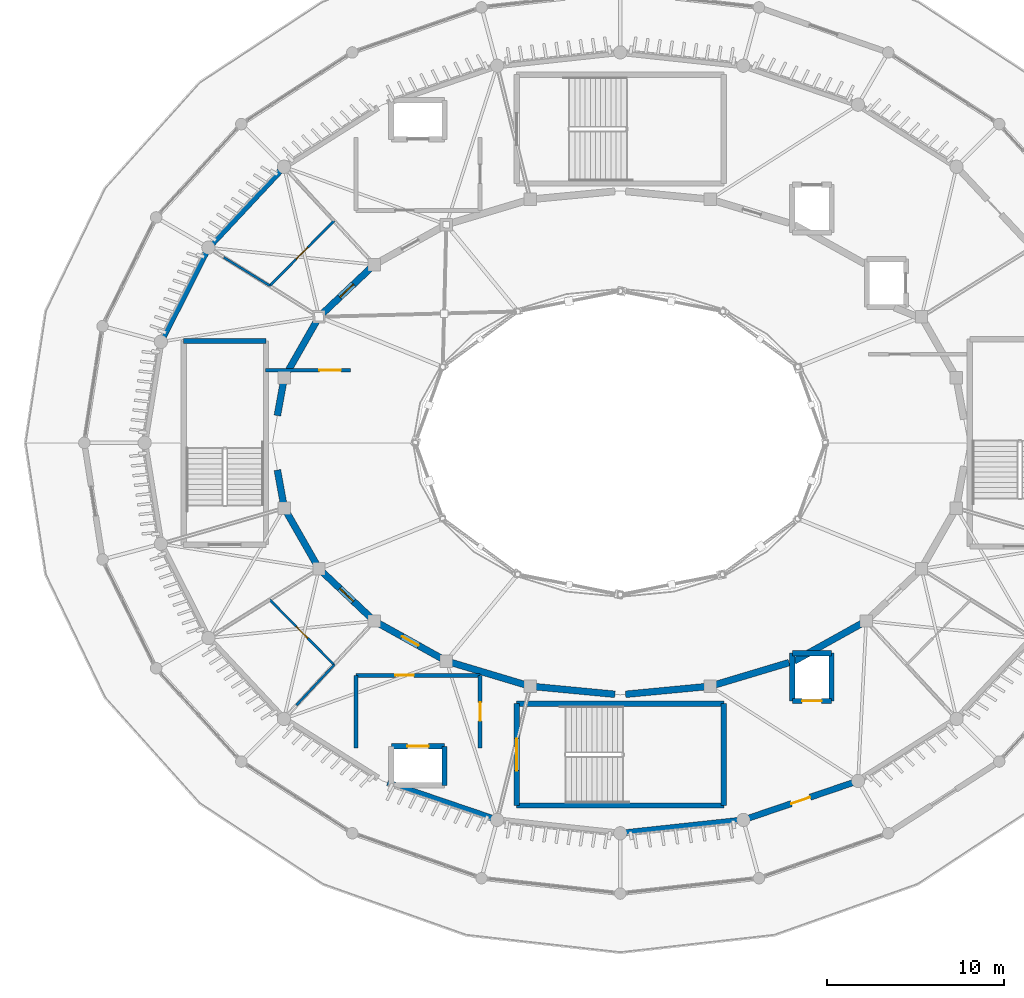
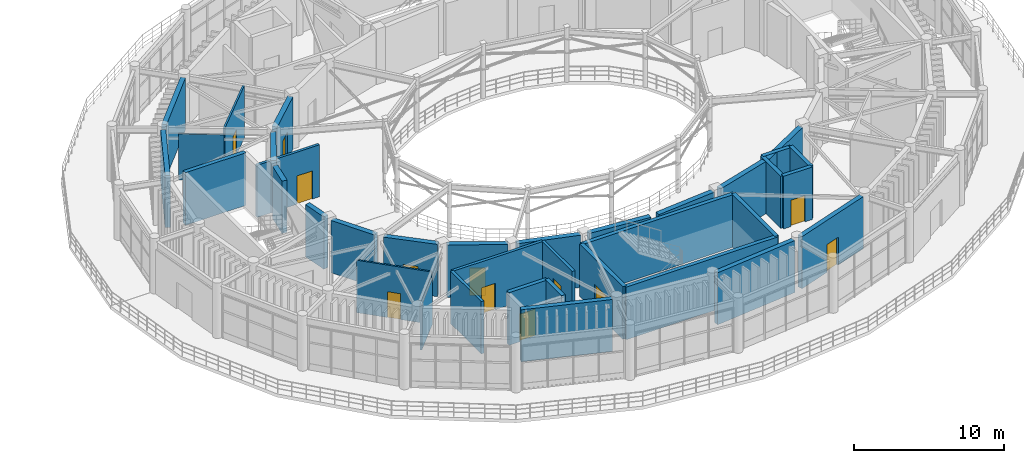
# One storey, part 25 of 45: 36 walls, 12 doors, 12 openings.
"""IFC4 building model written with IfcOpenShell, lengths in metres."""

import ifcopenshell
import ifcopenshell.guid

model = None  # the IFC model being written
_history = None  # IfcOwnerHistory: only IFC2X3 demands one
_inside = {}  # id of a spatial element -> (the spatial element, [elements in it])
_under = {}  # id of a project, library or spatial element -> (it, [spatial elements below it])
_declared = {}  # id of a project -> (the project, [libraries it declares])
_typed = {}  # id of a type object -> (the type object, [elements of that type])
_made_of = {}  # id of a material, layer set ... -> (it, [elements and type objects made of it])


def new_model(schema):
    """Start an empty IFC model of exactly this schema.

    Asked for "IFC4X3", IfcOpenShell would pick the latest addendum, in which some entities
    have other attributes; the version numbers below select the first issue.
    IFC2X3 requires an IfcOwnerHistory on every rooted entity: one is made here for all.
    """
    global model, _history
    if schema == "IFC4X3":
        model = ifcopenshell.file(schema_version=(4, 3, 0, 0))
    else:
        model = ifcopenshell.file(schema=schema)
    _inside.clear()
    _under.clear()
    _declared.clear()
    _typed.clear()
    _made_of.clear()
    _history = None
    if model.schema == "IFC2X3":
        org = make("IfcOrganization", Name="unknown")
        user = make(
            "IfcPersonAndOrganization",
            ThePerson=make("IfcPerson", FamilyName="unknown"),
            TheOrganization=org,
        )
        app = make(
            "IfcApplication",
            ApplicationDeveloper=org,
            Version="unknown",
            ApplicationFullName="unknown",
            ApplicationIdentifier="unknown",
        )
        _history = make(
            "IfcOwnerHistory",
            OwningUser=user,
            OwningApplication=app,
            ChangeAction="ADDED",
            CreationDate=0,
        )
    return model


def make(cls, **values):
    """One entity of the class cls with the attributes given. An attribute that is None is left unset."""
    return model.create_entity(
        cls, **{name: value for name, value in values.items() if value is not None}
    )


def rooted(cls, **values):
    """An entity with a GlobalId (a new one), such as an element, a storey or a relation."""
    return make(cls, GlobalId=ifcopenshell.guid.new(), OwnerHistory=_history, **values)


def si_unit(unit_type, name, prefix=None):
    """IfcSIUnit, for example si_unit("LENGTHUNIT", "METRE", prefix="MILLI")."""
    return make("IfcSIUnit", UnitType=unit_type, Prefix=prefix, Name=name)


def assignment(units):
    """IfcUnitAssignment: the units of a project."""
    return None if units is None else make("IfcUnitAssignment", Units=units)


def point(xyz):
    """IfcCartesianPoint."""
    return None if xyz is None else make("IfcCartesianPoint", Coordinates=xyz)


def direction(xyz):
    """IfcDirection."""
    return None if xyz is None else make("IfcDirection", DirectionRatios=xyz)


def frame(location, z_axis=None, x_axis=None):
    """IfcAxis2Placement3D, a coordinate frame: its origin and axes. An axis left out is left unset."""
    return make(
        "IfcAxis2Placement3D",
        Location=point(location),
        Axis=direction(z_axis),
        RefDirection=direction(x_axis),
    )


def frame_2d(location, x_axis=None):
    """IfcAxis2Placement2D, a coordinate frame in the plane: its origin and x axis."""
    return make(
        "IfcAxis2Placement2D", Location=point(location), RefDirection=direction(x_axis)
    )


def origin():
    """The frame at (0, 0, 0) with its axes left unset."""
    return frame((0.0, 0.0, 0.0))


def place(relative_to, where):
    """IfcLocalPlacement: puts the frame where relative to a parent placement (None: the world)."""
    return make(
        "IfcLocalPlacement", PlacementRelTo=relative_to, RelativePlacement=where
    )


def context(
    kind, dimensions, precision=None, world=None, true_north=None, identifier=None
):
    """IfcGeometricRepresentationContext, for example the 3D "Model" context."""
    return make(
        "IfcGeometricRepresentationContext",
        ContextIdentifier=identifier,
        ContextType=kind,
        CoordinateSpaceDimension=dimensions,
        Precision=precision,
        WorldCoordinateSystem=world,
        TrueNorth=true_north,
    )


def subcontext(parent, identifier, kind, view, scale=None):
    """IfcGeometricRepresentationSubContext, for example "Body" below "Model"."""
    return make(
        "IfcGeometricRepresentationSubContext",
        ContextIdentifier=identifier,
        ContextType=kind,
        ParentContext=parent,
        TargetScale=scale,
        TargetView=view,
    )


def project(units=None, contexts=None):
    """IfcProject with its units and contexts."""
    return rooted(
        "IfcProject",
        Name="project",
        RepresentationContexts=contexts,
        UnitsInContext=assignment(units),
    )


def spatial(cls, under=None, at=None, **own):
    """A site, building, storey or space (cls), placed at a placement, below another one or the project."""
    s = rooted(cls, ObjectPlacement=at, **own)
    if under is not None:
        _under.setdefault(under.id(), (under, []))[1].append(s)
    return s


def profile(cls, at=None, kind="AREA", **sizes):
    """A parametric profile (cls). Its sizes go by their IFC names, for example OverallWidth=200.0."""
    return make(cls, ProfileType=kind, Position=at, **sizes)


def rectangle(**sizes):
    """IfcRectangleProfileDef."""
    return profile("IfcRectangleProfileDef", **sizes)


def extrude(swept, where, along, depth):
    """IfcExtrudedAreaSolid: the profile swept, set in the frame where, extruded along a direction by depth."""
    return make(
        "IfcExtrudedAreaSolid",
        SweptArea=swept,
        Position=where,
        ExtrudedDirection=direction(along),
        Depth=depth,
    )


def shape(context_of_items, identifier, shape_type, items):
    """IfcShapeRepresentation: the items that make up one representation, for example the "Body"."""
    return make(
        "IfcShapeRepresentation",
        ContextOfItems=context_of_items,
        RepresentationIdentifier=identifier,
        RepresentationType=shape_type,
        Items=items,
    )


def material(Name=None, Category=None):
    """IfcMaterial."""
    return make("IfcMaterial", Name=Name, Category=Category)


def layer(
    of_material, thickness, ventilated=None, Name=None, Category=None, Priority=None
):
    """IfcMaterialLayer: one layer of a wall or slab, of a material (None: an air gap)."""
    return make(
        "IfcMaterialLayer",
        Material=of_material,
        LayerThickness=thickness,
        IsVentilated=ventilated,
        Name=Name,
        Category=Category,
        Priority=Priority,
    )


def layer_set(layers, Name=None):
    """IfcMaterialLayerSet."""
    return make("IfcMaterialLayerSet", MaterialLayers=layers, LayerSetName=Name)


def made_of(thing, what):
    """Note that an element or type object is made of a material, layer set ...; save() writes the relation."""
    if what is not None:
        _made_of.setdefault(what.id(), (what, []))[1].append(thing)
    return thing


def type_object(cls, material=None, **own):
    """A type object (cls), such as IfcWallType, which elements share."""
    return made_of(rooted(cls, **own), material)


def element(
    cls,
    number,
    at=None,
    inside=None,
    cuts=None,
    type_object=None,
    material=None,
    context=None,
    identifier="Body",
    shape_type=None,
    held_by="IfcProductDefinitionShape",
    body=None,
    shapes=None,
    **own,
):
    """One element of the class cls, such as IfcWall. Its Tag is "e" and its number.

    at: its placement. inside: the storey or other place that contains it. cuts: it is an
    opening in that element (IfcRelVoidsElement). A single representation is given by context,
    identifier, shape_type and body (its items); several are given by shapes. held_by: the class
    of the entity that holds the representations. save() writes the other relations.
    """
    e = rooted(cls, Tag="e%d" % number, ObjectPlacement=at, **own)
    if body is not None:
        shapes = [shape(context, identifier, shape_type, body)]
    if shapes is not None:
        e.Representation = make(held_by, Representations=shapes)
    if inside is not None:
        _inside.setdefault(inside.id(), (inside, []))[1].append(e)
    if cuts is not None:
        rooted(
            "IfcRelVoidsElement", RelatingBuildingElement=cuts, RelatedOpeningElement=e
        )
    if type_object is not None:
        _typed.setdefault(type_object.id(), (type_object, []))[1].append(e)
    return made_of(e, material)


def fill(opening, filler):
    """IfcRelFillsElement: the door or window that sits in an opening."""
    return rooted(
        "IfcRelFillsElement",
        RelatingOpeningElement=opening,
        RelatedBuildingElement=filler,
    )


def aggregate(whole, parts):
    """IfcRelAggregates: a whole, such as a stair, and the parts it consists of."""
    return rooted("IfcRelAggregates", RelatingObject=whole, RelatedObjects=parts)


def save(model, path):
    """Write the relations noted so far, then the file.

    IfcRelAggregates (storeys below a building ...), IfcRelContainedInSpatialStructure (elements
    in a storey), IfcRelDefinesByType, IfcRelAssociatesMaterial and IfcRelDeclares: one each for
    every whole, place, type object, material and project.
    """
    for whole, parts in _under.values():
        aggregate(whole, parts)
    for where, things in _inside.values():
        rooted(
            "IfcRelContainedInSpatialStructure",
            RelatedElements=things,
            RelatingStructure=where,
        )
    for kind, things in _typed.values():
        rooted("IfcRelDefinesByType", RelatedObjects=things, RelatingType=kind)
    for what, things in _made_of.values():
        rooted("IfcRelAssociatesMaterial", RelatedObjects=things, RelatingMaterial=what)
    for by, libraries in _declared.values():
        rooted("IfcRelDeclares", RelatingContext=by, RelatedDefinitions=libraries)
    model.write(path)


model = new_model("IFC4")

# Units and contexts
model_context = context("Model", 3, precision=1e-05, world=origin(), true_north=direction((0.0, 1.0)))
body_context = subcontext(model_context, "Body", "Model", "MODEL_VIEW")
ifc_project = project(units=[si_unit("LENGTHUNIT", "METRE"), si_unit("AREAUNIT", "SQUARE_METRE"), si_unit("VOLUMEUNIT", "CUBIC_METRE"), si_unit("PLANEANGLEUNIT", "RADIAN"), si_unit("MASSUNIT", "GRAM", prefix="KILO")], contexts=[model_context])

# Site, building, storey
site_placement = place(None, origin())
site = spatial("IfcSite", under=ifc_project, at=site_placement, CompositionType="ELEMENT")
building_placement = place(site_placement, origin())
building = spatial("IfcBuilding", under=site, at=building_placement, Name="Cinderbank Siding Concert Hall", CompositionType="ELEMENT")
storey_placement = place(building_placement, frame((0.0, 0.0, 19.199951171875)))
storey = spatial("IfcBuildingStorey", under=building, at=storey_placement, Name="L05", CompositionType="ELEMENT", Elevation=19.199951171875)

# Wall, opening, door
ifc_material_1 = material(Name="Reinforced concrete AS 3600 N50 (50 MPa)", Category="concrete")
ifc_layer_1 = layer(ifc_material_1, 0.3798828125)
ifc_layer_set_1 = layer_set([ifc_layer_1], Name="Reinforced concrete AS 3600 N50 (50 MPa)")
wall_type_1 = type_object("IfcWallType", Name="WL-01 Structural Wall 380mm", PredefinedType="SOLIDWALL", material=ifc_layer_set_1)
wall_1_placement = place(storey_placement, frame((107.93359375, 53.84521484375, 0.0), z_axis=(0.0, 0.0, 1.0), x_axis=(-0.727127996206, -0.686501913423, 0.0)))
wall_1 = element("IfcWall", 1, at=wall_1_placement, inside=storey, type_object=wall_type_1, Name="L05 Structural Wall SW-E1-L05-10", PredefinedType="SOLIDWALL", context=body_context, shape_type="SweptSolid", body=[
    extrude(rectangle(XDim=3.7138671875, YDim=0.3798828125, at=frame_2d((1.85693359375, 0.0))), origin(), (0.0, 0.0, 1.0), 4.25),
])
opening_1_placement = place(wall_1_placement, frame((1.326904296875, 0.0, 0.0)))
opening_1 = element("IfcOpeningElement", 2, at=opening_1_placement, cuts=wall_1, Name="Opening D-18", PredefinedType="OPENING", context=body_context, shape_type="SweptSolid", body=[
    extrude(rectangle(XDim=1.06005859375, YDim=2.239990234375, at=frame_2d((0.530029296875, 1.1201171875))), frame((0.0, 0.201904296875, 0.0), z_axis=(0.0, -1.0, 0.0), x_axis=(1.0, 0.0, 0.0)), (0.0, 0.0, 1.0), 0.40380859375),
])
ifc_material_2 = material(Name="Solid-core spotted gum acoustic timber", Category="wood")
door_type_1 = type_object("IfcDoorType", Name="D-18 Interior Door 1060x2240", OperationType="NOTDEFINED", PredefinedType="DOOR", material=ifc_material_2)
door_1_placement = place(opening_1_placement, origin())
door_1 = element("IfcDoor", 3, at=door_1_placement, inside=storey, type_object=door_type_1, Name="L05 Auditorium Sound-Lock Door L05-D175", OperationType="SINGLE_SWING_RIGHT", OverallHeight=2.239990234375, OverallWidth=1.06005859375, PredefinedType="DOOR", context=body_context, shape_type="SweptSolid", body=[
    extrude(rectangle(XDim=1.06005859375, YDim=2.239990234375, at=frame_2d((0.530029296875, 1.1201171875))), frame((0.0, 0.02490234375, 0.0), z_axis=(0.0, -1.0, 0.0), x_axis=(1.0, 0.0, 0.0)), (0.0, 0.0, 1.0), 0.050048828125),
])
fill(opening_1, door_1)

# Walls
wall_2_placement = place(storey_placement, frame((104.884521484375, 50.8525390625, 0.0), z_axis=(0.0, 0.0, 1.0), x_axis=(-0.496318106012, -0.868140736082, 0.0)))
element("IfcWall", 4, at=wall_2_placement, inside=storey, type_object=wall_type_1, Name="L05 Structural Wall SW-E1-L05-11", PredefinedType="SOLIDWALL", context=body_context, shape_type="SweptSolid", body=[
    extrude(rectangle(XDim=3.375, YDim=0.3798828125, at=frame_2d((1.6875, 0.0))), origin(), (0.0, 0.0, 1.0), 4.25),
])
for number, where, z_axis, x_axis, name in (
    (5, (103.016845703125, 47.394775390625, 0.0), (0.0, 0.0, 1.0), (-0.178749049923, -0.983894698203, 0.0), "L05 Structural Wall SW-E1-L05-12"),
    (6, (102.678955078125, 42.465087890625, 0.0), (0.0, 0.0, 1.0), (0.178749049923, -0.983894698203, 0.0), "L05 Structural Wall SW-E1-L05-13"),
):
    element("IfcWall", number, at=place(storey_placement, frame(where, z_axis=z_axis, x_axis=x_axis)), inside=storey, type_object=wall_type_1, Name=name, PredefinedType="SOLIDWALL", context=body_context, shape_type="SweptSolid", body=[
        extrude(rectangle(XDim=1.890380859375, YDim=0.3798828125, at=frame_2d((0.9453125, 0.0))), origin(), (0.0, 0.0, 1.0), 4.25),
    ])
wall_3_placement = place(storey_placement, frame((103.20947265625, 40.077392578125, 0.0), z_axis=(0.0, 0.0, 1.0), x_axis=(0.496318106012, -0.868140736082, 0.0)))
element("IfcWall", 7, at=wall_3_placement, inside=storey, type_object=wall_type_1, Name="L05 Structural Wall SW-E1-L05-14", PredefinedType="SOLIDWALL", context=body_context, shape_type="SweptSolid", body=[
    extrude(rectangle(XDim=3.375, YDim=0.3798828125, at=frame_2d((1.6875, 0.0))), origin(), (0.0, 0.0, 1.0), 4.25),
])

# Wall, opening, door
wall_4_placement = place(storey_placement, frame((105.233154296875, 36.704345703125, 0.0), z_axis=(0.0, 0.0, 1.0), x_axis=(0.727127996206, -0.686501913423, 0.0)))
wall_4 = element("IfcWall", 8, at=wall_4_placement, inside=storey, type_object=wall_type_1, Name="L05 Structural Wall SW-E1-L05-15", PredefinedType="SOLIDWALL", context=body_context, shape_type="SweptSolid", body=[
    extrude(rectangle(XDim=3.7138671875, YDim=0.3798828125, at=frame_2d((1.85693359375, 0.0))), origin(), (0.0, 0.0, 1.0), 4.25),
])
opening_2_placement = place(wall_4_placement, frame((1.326904296875, 0.0, 0.0)))
opening_2 = element("IfcOpeningElement", 9, at=opening_2_placement, cuts=wall_4, Name="Opening D-18", PredefinedType="OPENING", context=body_context, shape_type="SweptSolid", body=[
    extrude(rectangle(XDim=1.06005859375, YDim=2.239990234375, at=frame_2d((0.530029296875, 1.1201171875))), frame((0.0, 0.201904296875, 0.0), z_axis=(0.0, -1.0, 0.0), x_axis=(1.0, 0.0, 0.0)), (0.0, 0.0, 1.0), 0.40380859375),
])
door_2_placement = place(opening_2_placement, origin())
door_2 = element("IfcDoor", 10, at=door_2_placement, inside=storey, type_object=door_type_1, Name="L05 Auditorium Sound-Lock Door L05-D176", OperationType="SINGLE_SWING_LEFT", OverallHeight=2.239990234375, OverallWidth=1.06005859375, PredefinedType="DOOR", context=body_context, shape_type="SweptSolid", body=[
    extrude(rectangle(XDim=1.06005859375, YDim=2.239990234375, at=frame_2d((0.530029296875, 1.1201171875))), frame((0.0, 0.02490234375, 0.0), z_axis=(0.0, -1.0, 0.0), x_axis=(1.0, 0.0, 0.0)), (0.0, 0.0, 1.0), 0.050048828125),
])
fill(opening_2, door_2)

wall_5_placement = place(storey_placement, frame((108.389892578125, 33.820556640625, 0.0), z_axis=(0.0, 0.0, 1.0), x_axis=(0.87401308715, -0.485902380618, 0.0)))
wall_5 = element("IfcWall", 11, at=wall_5_placement, inside=storey, type_object=wall_type_1, Name="L05 Structural Wall SW-E1-L05-16", PredefinedType="SOLIDWALL", context=body_context, shape_type="SweptSolid", body=[
    extrude(rectangle(XDim=4.074462890625, YDim=0.3798828125, at=frame_2d((2.037109375, 0.0))), origin(), (0.0, 0.0, 1.0), 4.25),
])
opening_3_placement = place(wall_5_placement, frame((1.507080078125, 0.0, 0.0)))
opening_3 = element("IfcOpeningElement", 12, at=opening_3_placement, cuts=wall_5, Name="Opening D-18", PredefinedType="OPENING", context=body_context, shape_type="SweptSolid", body=[
    extrude(rectangle(XDim=1.06005859375, YDim=2.239990234375, at=frame_2d((0.530029296875, 1.1201171875))), frame((0.0, 0.201904296875, 0.0), z_axis=(0.0, -1.0, 0.0), x_axis=(1.0, 0.0, 0.0)), (0.0, 0.0, 1.0), 0.40380859375),
])
door_3_placement = place(opening_3_placement, origin())
door_3 = element("IfcDoor", 13, at=door_3_placement, inside=storey, type_object=door_type_1, Name="L05 Auditorium Sound-Lock Door L05-D177", OperationType="SINGLE_SWING_RIGHT", OverallHeight=2.239990234375, OverallWidth=1.06005859375, PredefinedType="DOOR", context=body_context, shape_type="SweptSolid", body=[
    extrude(rectangle(XDim=1.06005859375, YDim=2.239990234375, at=frame_2d((0.530029296875, 1.1201171875))), frame((0.0, 0.02490234375, 0.0), z_axis=(0.0, -1.0, 0.0), x_axis=(1.0, 0.0, 0.0)), (0.0, 0.0, 1.0), 0.050048828125),
])
fill(opening_3, door_3)

# Walls
wall_6_placement = place(storey_placement, frame((112.472900390625, 31.62060546875, 0.0), z_axis=(0.0, 0.0, 1.0), x_axis=(0.957792414988, -0.287460762177, 0.0)))
element("IfcWall", 14, at=wall_6_placement, inside=storey, type_object=wall_type_1, Name="L05 Structural Wall SW-E1-L05-17", PredefinedType="SOLIDWALL", context=body_context, shape_type="SweptSolid", body=[
    extrude(rectangle(XDim=4.365478515625, YDim=0.3798828125, at=frame_2d((2.1826171875, 0.0))), origin(), (0.0, 0.0, 1.0), 4.25),
])
for number, where, z_axis, x_axis, name in (
    (15, (117.210693359375, 30.2568359375, 0.0), (0.0, 0.0, 1.0), (0.995484276796, -0.094926575052, 0.0), "L05 Structural Wall SW-E1-L05-18"),
    (16, (122.298583984375, 29.82861328125, 0.0), (0.0, 0.0, 1.0), (0.995484276796, 0.094926575052, 0.0), "L05 Structural Wall SW-E1-L05-19"),
):
    element("IfcWall", number, at=place(storey_placement, frame(where, z_axis=z_axis, x_axis=x_axis)), inside=storey, type_object=wall_type_1, Name=name, PredefinedType="SOLIDWALL", context=body_context, shape_type="SweptSolid", body=[
        extrude(rectangle(XDim=4.510986328125, YDim=0.3798828125, at=frame_2d((2.25537109375, 0.0))), origin(), (0.0, 0.0, 1.0), 4.25),
    ])
wall_7_placement = place(storey_placement, frame((127.345947265625, 30.36572265625, 0.0), z_axis=(0.0, 0.0, 1.0), x_axis=(0.957796933165, 0.287445707604, 0.0)))
element("IfcWall", 17, at=wall_7_placement, inside=storey, type_object=wall_type_1, Name="L05 Structural Wall SW-E1-L05-20", PredefinedType="SOLIDWALL", context=body_context, shape_type="SweptSolid", body=[
    extrude(rectangle(XDim=4.350341796875, YDim=0.3798828125, at=frame_2d((2.17529296875, 0.0))), origin(), (0.0, 0.0, 1.0), 4.25),
])
wall_8_placement = place(storey_placement, frame((131.800048828125, 31.702392578125, 0.0), z_axis=(0.0, 0.0, 1.0), x_axis=(0.874014584072, 0.485899688031, 0.0)))
element("IfcWall", 18, at=wall_8_placement, inside=storey, type_object=wall_type_1, Name="L05 Structural Wall SW-E1-L05-21", PredefinedType="SOLIDWALL", context=body_context, shape_type="SweptSolid", body=[
    extrude(rectangle(XDim=4.359375, YDim=0.3798828125, at=frame_2d((2.1796875, 0.0))), origin(), (0.0, 0.0, 1.0), 4.25),
])
ifc_layer_2 = layer(ifc_material_1, 0.35009765625)
ifc_layer_set_2 = layer_set([ifc_layer_2], Name="Reinforced concrete AS 3600 N50 (50 MPa)")
wall_type_2 = type_object("IfcWallType", Name="WL-02 Structural Wall 350mm", PredefinedType="SHEAR", material=ifc_layer_set_2)
wall_9_placement = place(storey_placement, frame((102.837890625, 59.329833984375, 0.0), z_axis=(0.0, 0.0, 1.0), x_axis=(-0.682886399388, -0.730524582427, 0.0)))
element("IfcWall", 19, at=wall_9_placement, inside=storey, type_object=wall_type_2, Name="L05 Structural Wall SW-E2-L05-10", PredefinedType="SHEAR", context=body_context, shape_type="SweptSolid", body=[
    extrude(rectangle(XDim=5.616943359375, YDim=0.35009765625, at=frame_2d((2.80859375, 0.0))), origin(), (0.0, 0.0, 1.0), 4.22998046875),
])
wall_10_placement = place(storey_placement, frame((98.65087890625, 54.72314453125, 0.0), z_axis=(0.0, 0.0, 1.0), x_axis=(-0.450512686904, -0.892770025784, 0.0)))
element("IfcWall", 20, at=wall_10_placement, inside=storey, type_object=wall_type_2, Name="L05 Structural Wall SW-E2-L05-11", PredefinedType="SHEAR", context=body_context, shape_type="SweptSolid", body=[
    extrude(rectangle(XDim=5.3232421875, YDim=0.35009765625, at=frame_2d((2.66162109375, 0.0))), origin(), (0.0, 0.0, 1.0), 4.22998046875),
])
wall_11_placement = place(storey_placement, frame((108.884033203125, 24.850830078125, 0.0), z_axis=(0.0, 0.0, 1.0), x_axis=(0.946761494057, -0.321935821821, 0.0)))
element("IfcWall", 21, at=wall_11_placement, inside=storey, type_object=wall_type_2, Name="L05 Structural Wall SW-E2-L05-17", PredefinedType="SHEAR", context=body_context, shape_type="SweptSolid", body=[
    extrude(rectangle(XDim=6.217041015625, YDim=0.35009765625, at=frame_2d((3.1083984375, 0.0))), origin(), (0.0, 0.0, 1.0), 4.22998046875),
])
wall_12_placement = place(storey_placement, frame((122.30810546875, 22.033203125, 0.0), z_axis=(0.0, 0.0, 1.0), x_axis=(0.99420948753, 0.107459270912, 0.0)))
element("IfcWall", 22, at=wall_12_placement, inside=storey, type_object=wall_type_2, Name="L05 Structural Wall SW-E2-L05-19", PredefinedType="SHEAR", context=body_context, shape_type="SweptSolid", body=[
    extrude(rectangle(XDim=6.35693359375, YDim=0.35009765625, at=frame_2d((3.178466796875, 0.0))), origin(), (0.0, 0.0, 1.0), 4.22998046875),
])

# Wall, opening, door
wall_13_placement = place(storey_placement, frame((129.22998046875, 22.849365234375, 0.0), z_axis=(0.0, 0.0, 1.0), x_axis=(0.946758358714, 0.321945042213, 0.0)))
wall_13 = element("IfcWall", 23, at=wall_13_placement, inside=storey, type_object=wall_type_2, Name="L05 Structural Wall SW-E2-L05-20", PredefinedType="SHEAR", context=body_context, shape_type="SweptSolid", body=[
    extrude(rectangle(XDim=6.20703125, YDim=0.35009765625, at=frame_2d((3.103515625, 0.0))), origin(), (0.0, 0.0, 1.0), 4.22998046875),
])
opening_4_placement = place(wall_13_placement, frame((2.54345703125, 0.0, 0.0)))
opening_4 = element("IfcOpeningElement", 24, at=opening_4_placement, cuts=wall_13, Name="Opening D-19", PredefinedType="OPENING", context=body_context, shape_type="SweptSolid", body=[
    extrude(rectangle(XDim=1.1201171875, YDim=2.260009765625, at=frame_2d((0.56005859375, 1.1298828125))), frame((0.0, 0.18701171875, 0.0), z_axis=(0.0, -1.0, 0.0), x_axis=(1.0, 0.0, 0.0)), (0.0, 0.0, 1.0), 0.3740234375),
])
door_type_2 = type_object("IfcDoorType", Name="D-19 Interior Door 1120x2260", OperationType="NOTDEFINED", PredefinedType="DOOR", material=ifc_material_2)
door_4_placement = place(opening_4_placement, origin())
door_4 = element("IfcDoor", 25, at=door_4_placement, inside=storey, type_object=door_type_2, Name="L05 Auditorium Sound-Lock Door L05-D180", OperationType="SINGLE_SWING_LEFT", OverallHeight=2.260009765625, OverallWidth=1.1201171875, PredefinedType="DOOR", context=body_context, shape_type="SweptSolid", body=[
    extrude(rectangle(XDim=1.1201171875, YDim=2.260009765625, at=frame_2d((0.56005859375, 1.1298828125))), frame((0.0, 0.02490234375, 0.0), z_axis=(0.0, -1.0, 0.0), x_axis=(1.0, 0.0, 0.0)), (0.0, 0.0, 1.0), 0.050048828125),
])
fill(opening_4, door_4)

ifc_layer_3 = layer(ifc_material_1, 0.300048828125)
ifc_layer_set_3 = layer_set([ifc_layer_3], Name="Reinforced concrete AS 3600 N50 (50 MPa)")
wall_type_3 = type_object("IfcWallType", Name="WL-03 Structural Wall 300mm", PredefinedType="SHEAR", material=ifc_layer_set_3)
wall_14_placement = place(storey_placement, frame((116.159912109375, 23.56005859375, 0.0), z_axis=(0.0, 0.0, 1.0), x_axis=(0.0, 1.0, 0.0)))
wall_14 = element("IfcWall", 26, at=wall_14_placement, inside=storey, type_object=wall_type_3, Name="L05 ST-02 Core Wall ENTRY", PredefinedType="SHEAR", context=body_context, shape_type="SweptSolid", body=[
    extrude(rectangle(XDim=5.739990234375, YDim=0.300048828125, at=frame_2d((2.8701171875, 0.0))), origin(), (0.0, 0.0, 1.0), 4.280029296875),
])
opening_5_placement = place(wall_14_placement, frame((1.969970703125, 0.0, 0.0)))
opening_5 = element("IfcOpeningElement", 27, at=opening_5_placement, cuts=wall_14, Name="Opening D-05", PredefinedType="OPENING", context=body_context, shape_type="SweptSolid", body=[
    extrude(rectangle(XDim=1.800048828125, YDim=2.199951171875, at=frame_2d((0.89990234375, 1.10009765625))), frame((0.0, 0.162109375, 0.0), z_axis=(0.0, -1.0, 0.0), x_axis=(1.0, 0.0, 0.0)), (0.0, 0.0, 1.0), 0.323974609375),
])
ifc_material_3 = material(Name="Galvanised sheet steel acoustic fire door assembly", Category="steel")
door_type_3 = type_object("IfcDoorType", Name="D-05 Interior Door 1800x2200", OperationType="DOUBLE_DOOR_SINGLE_SWING", PredefinedType="DOOR", material=ifc_material_3)
door_5_placement = place(opening_5_placement, origin())
door_5 = element("IfcDoor", 28, at=door_5_placement, inside=storey, type_object=door_type_3, Name="L05 ST-02 Fire Stair Door L05-D013", OperationType="DOUBLE_DOOR_SINGLE_SWING", OverallHeight=2.199951171875, OverallWidth=1.800048828125, PredefinedType="DOOR", context=body_context, shape_type="SweptSolid", body=[
    extrude(rectangle(XDim=1.800048828125, YDim=2.199951171875, at=frame_2d((0.89990234375, 1.10009765625))), frame((0.0, 0.02490234375, 0.0), z_axis=(0.0, -1.0, 0.0), x_axis=(1.0, 0.0, 0.0)), (0.0, 0.0, 1.0), 0.050048828125),
])
fill(opening_5, door_5)

# Walls
wall_15_placement = place(storey_placement, frame((127.840087890625, 29.300048828125, 0.0), z_axis=(0.0, 0.0, 1.0), x_axis=(0.0, -1.0, 0.0)))
element("IfcWall", 29, at=wall_15_placement, inside=storey, type_object=wall_type_3, Name="L05 ST-02 Core Wall FAR", PredefinedType="SHEAR", context=body_context, shape_type="SweptSolid", body=[
    extrude(rectangle(XDim=5.739990234375, YDim=0.300048828125, at=frame_2d((2.8701171875, 0.0))), origin(), (0.0, 0.0, 1.0), 4.280029296875),
])
for number, where, z_axis, x_axis, name in (
    (30, (127.840087890625, 23.56005859375, 0.0), (0.0, 0.0, 1.0), (-1.0, 0.0, 0.0), "L05 ST-02 Core Wall SIDE1"),
    (31, (116.159912109375, 29.300048828125, 0.0), (0.0, 0.0, 1.0), (1.0, 0.0, 0.0), "L05 ST-02 Core Wall SIDE2"),
):
    element("IfcWall", number, at=place(storey_placement, frame(where, z_axis=z_axis, x_axis=x_axis)), inside=storey, type_object=wall_type_3, Name=name, PredefinedType="SHEAR", context=body_context, shape_type="SweptSolid", body=[
        extrude(rectangle(XDim=11.68017578125, YDim=0.300048828125, at=frame_2d((5.840087890625, 0.0))), origin(), (0.0, 0.0, 1.0), 4.280029296875),
    ])
wall_16_placement = place(storey_placement, frame((97.39990234375, 49.739990234375, 0.0), z_axis=(0.0, 0.0, 1.0), x_axis=(1.0, 0.0, 0.0)))
element("IfcWall", 32, at=wall_16_placement, inside=storey, type_object=wall_type_3, Name="L05 ST-04 Core Wall FAR", PredefinedType="SHEAR", context=body_context, shape_type="SweptSolid", body=[
    extrude(rectangle(XDim=4.64013671875, YDim=0.300048828125, at=frame_2d((2.320068359375, 0.0))), origin(), (0.0, 0.0, 1.0), 4.280029296875),
])

# Wall, opening, door
wall_17_placement = place(storey_placement, frame((133.89990234375, 29.449951171875, 0.0), z_axis=(0.0, 0.0, 1.0), x_axis=(-1.0, 0.0, 0.0)))
wall_17 = element("IfcWall", 33, at=wall_17_placement, inside=storey, type_object=wall_type_3, Name="L05 LF-02 Shaft Wall -Y", PredefinedType="SHEAR", context=body_context, shape_type="SweptSolid", body=[
    extrude(rectangle(XDim=2.199951171875, YDim=0.300048828125, at=frame_2d((1.10009765625, 0.0))), origin(), (0.0, 0.0, 1.0), 4.280029296875),
])
opening_6_placement = place(wall_17_placement, frame((0.550048828125, 0.0, 0.0)))
opening_6 = element("IfcOpeningElement", 34, at=opening_6_placement, cuts=wall_17, Name="Opening LD-01", PredefinedType="OPENING", context=body_context, shape_type="SweptSolid", body=[
    extrude(rectangle(XDim=1.10009765625, YDim=2.14990234375, at=frame_2d((0.550048828125, 1.074951171875))), frame((0.0, 0.162109375, 0.0), z_axis=(0.0, -1.0, 0.0), x_axis=(1.0, 0.0, 0.0)), (0.0, 0.0, 1.0), 0.323974609375),
])
door_type_4 = type_object("IfcDoorType", Name="LD-01 Interior Door 1100x2150", OperationType="DOUBLE_DOOR_SLIDING", PredefinedType="DOOR", material=ifc_material_3)
door_6_placement = place(opening_6_placement, origin())
door_6 = element("IfcDoor", 35, at=door_6_placement, inside=storey, type_object=door_type_4, Name="L05 LF-02 Sliding Landing Door", OperationType="DOUBLE_DOOR_SLIDING", OverallHeight=2.14990234375, OverallWidth=1.10009765625, PredefinedType="DOOR", context=body_context, shape_type="SweptSolid", body=[
    extrude(rectangle(XDim=1.10009765625, YDim=2.14990234375, at=frame_2d((0.550048828125, 1.074951171875))), frame((0.0, 0.02490234375, 0.0), z_axis=(0.0, -1.0, 0.0), x_axis=(1.0, 0.0, 0.0)), (0.0, 0.0, 1.0), 0.050048828125),
])
fill(opening_6, door_6)

# Walls
wall_18_placement = place(storey_placement, frame((133.89990234375, 32.14990234375, 0.0), z_axis=(0.0, 0.0, 1.0), x_axis=(0.0, -1.0, 0.0)))
element("IfcWall", 36, at=wall_18_placement, inside=storey, type_object=wall_type_3, Name="L05 LF-02 Shaft Wall +X", PredefinedType="SHEAR", context=body_context, shape_type="SweptSolid", body=[
    extrude(rectangle(XDim=2.699951171875, YDim=0.300048828125, at=frame_2d((1.35009765625, 0.0))), origin(), (0.0, 0.0, 1.0), 4.280029296875),
])
wall_19_placement = place(storey_placement, frame((131.699951171875, 32.14990234375, 0.0), z_axis=(0.0, 0.0, 1.0), x_axis=(1.0, 0.0, 0.0)))
element("IfcWall", 37, at=wall_19_placement, inside=storey, type_object=wall_type_3, Name="L05 LF-02 Shaft Wall +Y", PredefinedType="SHEAR", context=body_context, shape_type="SweptSolid", body=[
    extrude(rectangle(XDim=2.199951171875, YDim=0.300048828125, at=frame_2d((1.10009765625, 0.0))), origin(), (0.0, 0.0, 1.0), 4.25),
])
wall_20_placement = place(storey_placement, frame((131.699951171875, 29.449951171875, 0.0), z_axis=(0.0, 0.0, 1.0), x_axis=(0.0, 1.0, 0.0)))
element("IfcWall", 38, at=wall_20_placement, inside=storey, type_object=wall_type_3, Name="L05 LF-02 Shaft Wall -X", PredefinedType="SHEAR", context=body_context, shape_type="SweptSolid", body=[
    extrude(rectangle(XDim=2.699951171875, YDim=0.300048828125, at=frame_2d((1.35009765625, 0.0))), origin(), (0.0, 0.0, 1.0), 4.25),
])
wall_21_placement = place(storey_placement, frame((112.10009765625, 26.89990234375, 0.0), z_axis=(0.0, 0.0, 1.0), x_axis=(0.0, -1.0, 0.0)))
element("IfcWall", 39, at=wall_21_placement, inside=storey, type_object=wall_type_3, Name="L05 LF-05 Shaft Wall +X", PredefinedType="SHEAR", context=body_context, shape_type="SweptSolid", body=[
    extrude(rectangle(XDim=2.199951171875, YDim=0.300048828125, at=frame_2d((1.10009765625, 0.0))), origin(), (0.0, 0.0, 1.0), 4.280029296875),
])

# Wall, opening, door
wall_22_placement = place(storey_placement, frame((109.10009765625, 26.89990234375, 0.0), z_axis=(0.0, 0.0, 1.0), x_axis=(1.0, 0.0, 0.0)))
wall_22 = element("IfcWall", 40, at=wall_22_placement, inside=storey, type_object=wall_type_3, Name="L05 LF-05 Shaft Wall +Y", PredefinedType="SHEAR", context=body_context, shape_type="SweptSolid", body=[
    extrude(rectangle(XDim=3.0, YDim=0.300048828125, at=frame_2d((1.5, 0.0))), origin(), (0.0, 0.0, 1.0), 4.280029296875),
])
opening_7_placement = place(wall_22_placement, frame((0.89990234375, 0.0, 0.0)))
opening_7 = element("IfcOpeningElement", 41, at=opening_7_placement, cuts=wall_22, Name="Opening LD-02", PredefinedType="OPENING", context=body_context, shape_type="SweptSolid", body=[
    extrude(rectangle(XDim=1.199951171875, YDim=2.14990234375, at=frame_2d((0.60009765625, 1.074951171875))), frame((0.0, 0.162109375, 0.0), z_axis=(0.0, -1.0, 0.0), x_axis=(1.0, 0.0, 0.0)), (0.0, 0.0, 1.0), 0.323974609375),
])
door_type_5 = type_object("IfcDoorType", Name="LD-02 Interior Door 1200x2150", OperationType="DOUBLE_DOOR_SLIDING", PredefinedType="DOOR", material=ifc_material_3)
door_7_placement = place(opening_7_placement, origin())
door_7 = element("IfcDoor", 42, at=door_7_placement, inside=storey, type_object=door_type_5, Name="L05 LF-05 Sliding Landing Door", OperationType="DOUBLE_DOOR_SLIDING", OverallHeight=2.14990234375, OverallWidth=1.199951171875, PredefinedType="DOOR", context=body_context, shape_type="SweptSolid", body=[
    extrude(rectangle(XDim=1.199951171875, YDim=2.14990234375, at=frame_2d((0.60009765625, 1.074951171875))), frame((0.0, 0.02490234375, 0.0), z_axis=(0.0, -1.0, 0.0), x_axis=(1.0, 0.0, 0.0)), (0.0, 0.0, 1.0), 0.050048828125),
])
fill(opening_7, door_7)

ifc_layer_4 = layer(ifc_material_1, 0.219970703125)
ifc_layer_set_4 = layer_set([ifc_layer_4], Name="Reinforced concrete AS 3600 N50 (50 MPa)")
wall_type_4 = type_object("IfcWallType", Name="WL-06 Interior Wall 220mm", PredefinedType="SOLIDWALL", material=ifc_layer_set_4)
wall_23_placement = place(storey_placement, frame((107.10009765625, 30.89990234375, 0.0), z_axis=(0.0, 0.0, 1.0), x_axis=(1.0, 0.0, 0.0)))
wall_23 = element("IfcWall", 43, at=wall_23_placement, inside=storey, type_object=wall_type_4, Name="L05 Firefighting Lobby Wall FFLS-N", PredefinedType="SOLIDWALL", context=body_context, shape_type="SweptSolid", body=[
    extrude(rectangle(XDim=7.0, YDim=0.219970703125, at=frame_2d((3.5, 0.0))), origin(), (0.0, 0.0, 1.0), 4.26513671875),
])
opening_8_placement = place(wall_23_placement, frame((2.22509765625, 0.0, 0.0)))
opening_8 = element("IfcOpeningElement", 44, at=opening_8_placement, cuts=wall_23, Name="Opening D-02", PredefinedType="OPENING", context=body_context, shape_type="SweptSolid", body=[
    extrude(rectangle(XDim=1.050048828125, YDim=2.14990234375, at=frame_2d((0.52490234375, 1.074951171875))), frame((0.0, 0.1220703125, 0.0), z_axis=(0.0, -1.0, 0.0), x_axis=(1.0, 0.0, 0.0)), (0.0, 0.0, 1.0), 0.243896484375),
])
door_type_6 = type_object("IfcDoorType", Name="D-02 Interior Door 1050x2150", OperationType="NOTDEFINED", PredefinedType="DOOR", material=ifc_material_3)
door_8_placement = place(opening_8_placement, origin())
door_8 = element("IfcDoor", 45, at=door_8_placement, inside=storey, type_object=door_type_6, Name="L05 Firefighting Lobby Door L05-D084", OperationType="SINGLE_SWING_LEFT", OverallHeight=2.14990234375, OverallWidth=1.050048828125, PredefinedType="DOOR", context=body_context, shape_type="SweptSolid", body=[
    extrude(rectangle(XDim=1.050048828125, YDim=2.14990234375, at=frame_2d((0.52490234375, 1.074951171875))), frame((0.0, 0.02490234375, 0.0), z_axis=(0.0, -1.0, 0.0), x_axis=(1.0, 0.0, 0.0)), (0.0, 0.0, 1.0), 0.050048828125),
])
fill(opening_8, door_8)

# Wall
wall_24_placement = place(storey_placement, frame((107.10009765625, 26.800048828125, 0.0), z_axis=(0.0, 0.0, 1.0), x_axis=(0.0, 1.0, 0.0)))
element("IfcWall", 46, at=wall_24_placement, inside=storey, type_object=wall_type_4, Name="L05 Firefighting Lobby Wall FFLS-W", PredefinedType="SOLIDWALL", context=body_context, shape_type="SweptSolid", body=[
    extrude(rectangle(XDim=4.099853515625, YDim=0.219970703125, at=frame_2d((2.0498046875, 0.0))), origin(), (0.0, 0.0, 1.0), 4.26513671875),
])

# Wall, opening, door
wall_25_placement = place(storey_placement, frame((114.10009765625, 30.89990234375, 0.0), z_axis=(0.0, 0.0, 1.0), x_axis=(0.0, -1.0, 0.0)))
wall_25 = element("IfcWall", 47, at=wall_25_placement, inside=storey, type_object=wall_type_4, Name="L05 Firefighting Lobby Wall FFLS-E", PredefinedType="SOLIDWALL", context=body_context, shape_type="SweptSolid", body=[
    extrude(rectangle(XDim=4.099853515625, YDim=0.219970703125, at=frame_2d((2.0498046875, 0.0))), origin(), (0.0, 0.0, 1.0), 4.26513671875),
])
opening_9_placement = place(wall_25_placement, frame((1.52490234375, 0.0, 0.0)))
opening_9 = element("IfcOpeningElement", 48, at=opening_9_placement, cuts=wall_25, Name="Opening D-02", PredefinedType="OPENING", context=body_context, shape_type="SweptSolid", body=[
    extrude(rectangle(XDim=1.050048828125, YDim=2.14990234375, at=frame_2d((0.52490234375, 1.074951171875))), frame((0.0, 0.1220703125, 0.0), z_axis=(0.0, -1.0, 0.0), x_axis=(1.0, 0.0, 0.0)), (0.0, 0.0, 1.0), 0.243896484375),
])
door_9_placement = place(opening_9_placement, origin())
door_9 = element("IfcDoor", 49, at=door_9_placement, inside=storey, type_object=door_type_6, Name="L05 Firefighting Lobby Door L05-D085", OperationType="SINGLE_SWING_RIGHT", OverallHeight=2.14990234375, OverallWidth=1.050048828125, PredefinedType="DOOR", context=body_context, shape_type="SweptSolid", body=[
    extrude(rectangle(XDim=1.050048828125, YDim=2.14990234375, at=frame_2d((0.52490234375, 1.074951171875))), frame((0.0, 0.02490234375, 0.0), z_axis=(0.0, -1.0, 0.0), x_axis=(1.0, 0.0, 0.0)), (0.0, 0.0, 1.0), 0.050048828125),
])
fill(opening_9, door_9)

ifc_material_4 = material(Name="Acoustic plasterboard on light-gauge steel studs", Category="gypsum")
ifc_layer_5 = layer(ifc_material_4, 0.199951171875)
ifc_layer_set_5 = layer_set([ifc_layer_5], Name="Acoustic plasterboard on light-gauge steel studs")
wall_type_5 = type_object("IfcWallType", Name="WL-12 Interior Wall 200mm", PredefinedType="PARTITIONING", material=ifc_layer_set_5)
wall_26_placement = place(storey_placement, frame((102.0, 48.10009765625, 0.0), z_axis=(0.0, 0.0, 1.0), x_axis=(1.0, 0.0, 0.0)))
wall_26 = element("IfcWall", 50, at=wall_26_placement, inside=storey, type_object=wall_type_5, Name="L05 Partition Notation Conservation Archive", PredefinedType="PARTITIONING", context=body_context, shape_type="SweptSolid", body=[
    extrude(rectangle(XDim=4.800048828125, YDim=0.199951171875, at=frame_2d((2.39990234375, 0.0))), origin(), (0.0, 0.0, 1.0), 4.235107421875),
])
opening_10_placement = place(wall_26_placement, frame((3.050048828125, 0.0, 0.0)))
opening_10 = element("IfcOpeningElement", 51, at=opening_10_placement, cuts=wall_26, Name="Opening D-12", PredefinedType="OPENING", context=body_context, shape_type="SweptSolid", body=[
    extrude(rectangle(XDim=1.199951171875, YDim=2.300048828125, at=frame_2d((0.60009765625, 1.14990234375))), frame((0.0, 0.11181640625, 0.0), z_axis=(0.0, -1.0, 0.0), x_axis=(1.0, 0.0, 0.0)), (0.0, 0.0, 1.0), 0.223876953125),
])
door_type_7 = type_object("IfcDoorType", Name="D-12 Interior Door 1200x2300", OperationType="NOTDEFINED", PredefinedType="DOOR", material=ifc_material_2)
door_10_placement = place(opening_10_placement, origin())
door_10 = element("IfcDoor", 52, at=door_10_placement, inside=storey, type_object=door_type_7, Name="L05 Notation Conservation Archive Door L05-D289", OperationType="SINGLE_SWING_LEFT", OverallHeight=2.300048828125, OverallWidth=1.199951171875, PredefinedType="DOOR", context=body_context, shape_type="SweptSolid", body=[
    extrude(rectangle(XDim=1.199951171875, YDim=2.300048828125, at=frame_2d((0.60009765625, 1.14990234375))), frame((0.0, 0.02490234375, 0.0), z_axis=(0.0, -1.0, 0.0), x_axis=(1.0, 0.0, 0.0)), (0.0, 0.0, 1.0), 0.050048828125),
])
fill(opening_10, door_10)

# Walls
ifc_layer_6 = layer(ifc_material_4, 0.1298828125)
ifc_layer_set_6 = layer_set([ifc_layer_6], Name="Acoustic plasterboard on light-gauge steel studs")
wall_type_6 = type_object("IfcWallType", Name="WL-17 Interior Wall 130mm", PredefinedType="PARTITIONING", material=ifc_layer_set_6)
wall_27_placement = place(storey_placement, frame((102.254638671875, 52.85009765625, 0.0), z_axis=(0.0, 0.0, 1.0), x_axis=(-0.85151267833, 0.524334014386, 0.0)))
element("IfcWall", 53, at=wall_27_placement, inside=storey, type_object=wall_type_6, Name="L05 WC Radial Demising Wall R11", PredefinedType="PARTITIONING", context=body_context, shape_type="SweptSolid", body=[
    extrude(rectangle(XDim=3.05126953125, YDim=0.1298828125, at=frame_2d((1.525634765625, 0.0))), origin(), (0.0, 0.0, 1.0), 3.734130859375),
])
wall_28_placement = place(storey_placement, frame((105.8779296875, 31.484130859375, 0.0), z_axis=(0.0, 0.0, 1.0), x_axis=(-0.683951602278, -0.72952738519, 0.0)))
element("IfcWall", 54, at=wall_28_placement, inside=storey, type_object=wall_type_6, Name="L05 WC Radial Demising Wall R16", PredefinedType="PARTITIONING", context=body_context, shape_type="SweptSolid", body=[
    extrude(rectangle(XDim=3.1015625, YDim=0.1298828125, at=frame_2d((1.55078125, 0.0))), origin(), (0.0, 0.0, 1.0), 3.734130859375),
])

# Wall, opening, door
wall_29_placement = place(storey_placement, frame((105.8779296875, 56.515869140625, 0.0), z_axis=(0.0, 0.0, 1.0), x_axis=(-0.702973842803, -0.711215703099, 0.0)))
wall_29 = element("IfcWall", 55, at=wall_29_placement, inside=storey, type_object=wall_type_6, Name="L05 Partition L05 Public Male WC", PredefinedType="PARTITIONING", context=body_context, shape_type="SweptSolid", body=[
    extrude(rectangle(XDim=5.154296875, YDim=0.1298828125, at=frame_2d((2.5771484375, 0.0))), origin(), (0.0, 0.0, 1.0), 4.26513671875),
])
opening_11_placement = place(wall_29_placement, frame((2.1171875, 0.0, 0.0)))
opening_11 = element("IfcOpeningElement", 56, at=opening_11_placement, cuts=wall_29, Name="Opening D-09", PredefinedType="OPENING", context=body_context, shape_type="SweptSolid", body=[
    extrude(rectangle(XDim=0.919921875, YDim=2.10009765625, at=frame_2d((0.4599609375, 1.050048828125))), frame((0.0, 0.076904296875, 0.0), z_axis=(0.0, -1.0, 0.0), x_axis=(1.0, 0.0, 0.0)), (0.0, 0.0, 1.0), 0.15380859375),
])
door_type_8 = type_object("IfcDoorType", Name="D-09 Interior Door 920x2100", OperationType="NOTDEFINED", PredefinedType="DOOR", material=ifc_material_2)
door_11_placement = place(opening_11_placement, origin())
door_11 = element("IfcDoor", 57, at=door_11_placement, inside=storey, type_object=door_type_8, Name="L05 L05 Public Male WC Door L05-D285", OperationType="SINGLE_SWING_LEFT", OverallHeight=2.10009765625, OverallWidth=0.919921875, PredefinedType="DOOR", context=body_context, shape_type="SweptSolid", body=[
    extrude(rectangle(XDim=0.919921875, YDim=2.10009765625, at=frame_2d((0.4599609375, 1.050048828125))), frame((0.0, 0.02490234375, 0.0), z_axis=(0.0, -1.0, 0.0), x_axis=(1.0, 0.0, 0.0)), (0.0, 0.0, 1.0), 0.050048828125),
])
fill(opening_11, door_11)

wall_30_placement = place(storey_placement, frame((102.254638671875, 35.14990234375, 0.0), z_axis=(0.0, 0.0, 1.0), x_axis=(0.702973842803, -0.711215703099, 0.0)))
wall_30 = element("IfcWall", 58, at=wall_30_placement, inside=storey, type_object=wall_type_6, Name="L05 Partition L05 Public Female WC", PredefinedType="PARTITIONING", context=body_context, shape_type="SweptSolid", body=[
    extrude(rectangle(XDim=5.154296875, YDim=0.1298828125, at=frame_2d((2.5771484375, 0.0))), origin(), (0.0, 0.0, 1.0), 4.26513671875),
])
opening_12_placement = place(wall_30_placement, frame((2.1171875, 0.0, 0.0)))
opening_12 = element("IfcOpeningElement", 59, at=opening_12_placement, cuts=wall_30, Name="Opening D-09", PredefinedType="OPENING", context=body_context, shape_type="SweptSolid", body=[
    extrude(rectangle(XDim=0.919921875, YDim=2.10009765625, at=frame_2d((0.4599609375, 1.050048828125))), frame((0.0, 0.076904296875, 0.0), z_axis=(0.0, -1.0, 0.0), x_axis=(1.0, 0.0, 0.0)), (0.0, 0.0, 1.0), 0.15380859375),
])
door_12_placement = place(opening_12_placement, origin())
door_12 = element("IfcDoor", 60, at=door_12_placement, inside=storey, type_object=door_type_8, Name="L05 L05 Public Female WC Door L05-D286", OperationType="SINGLE_SWING_RIGHT", OverallHeight=2.10009765625, OverallWidth=0.919921875, PredefinedType="DOOR", context=body_context, shape_type="SweptSolid", body=[
    extrude(rectangle(XDim=0.919921875, YDim=2.10009765625, at=frame_2d((0.4599609375, 1.050048828125))), frame((0.0, 0.02490234375, 0.0), z_axis=(0.0, -1.0, 0.0), x_axis=(1.0, 0.0, 0.0)), (0.0, 0.0, 1.0), 0.050048828125),
])
fill(opening_12, door_12)

save(model, "model.ifc")
